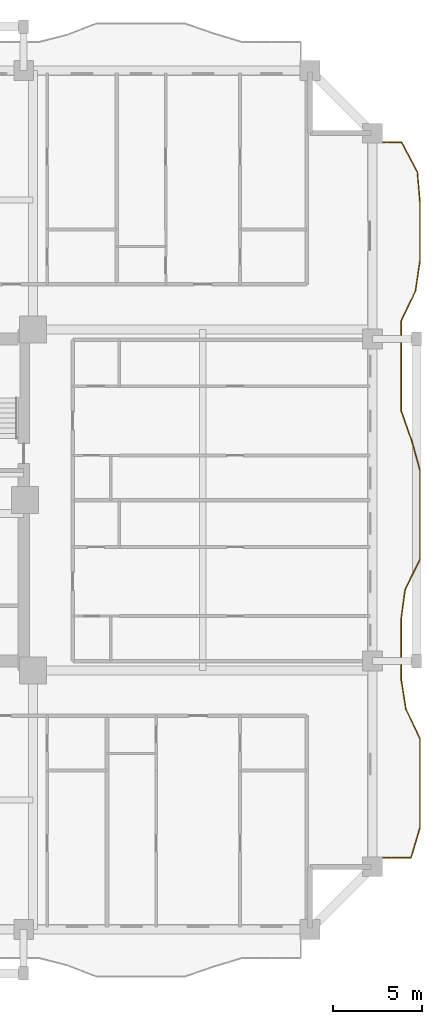
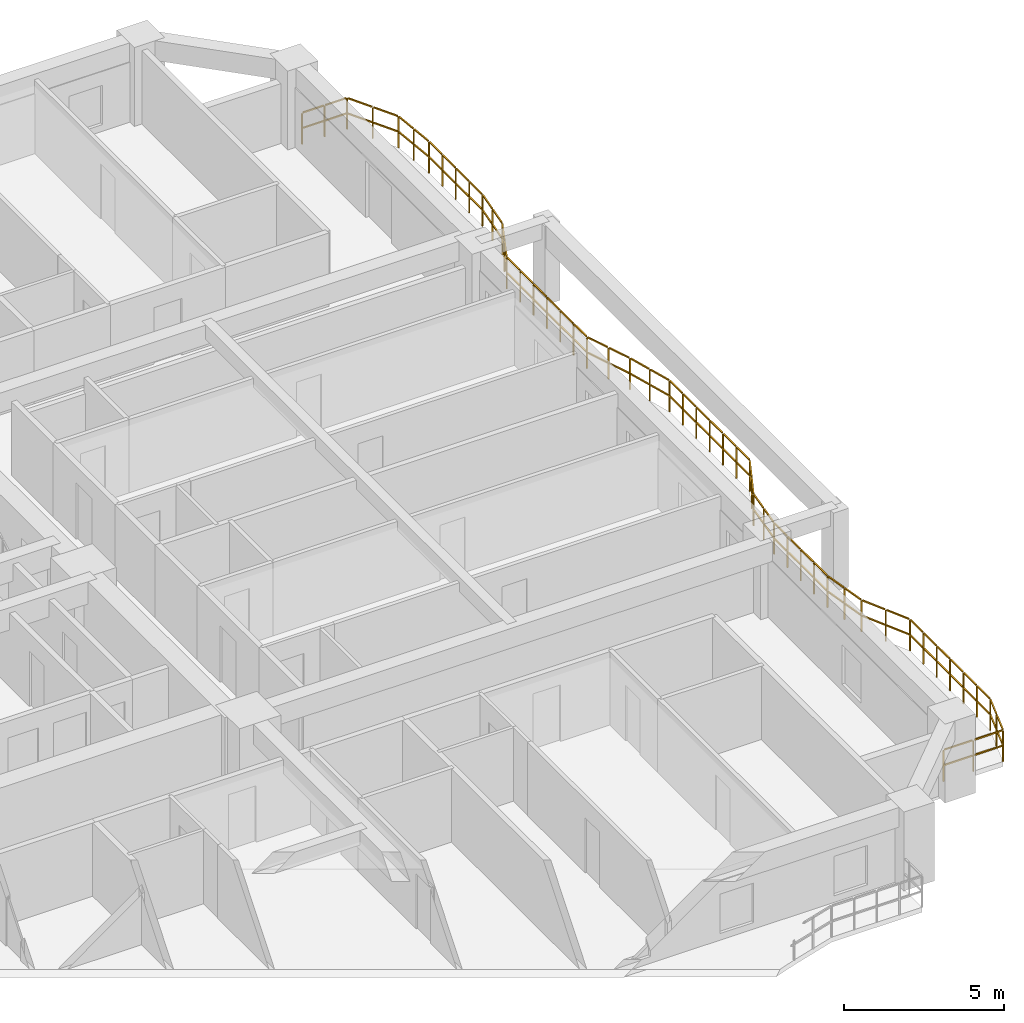
# One storey, part 14 of 16: 1 railing.
"""IFC4 building model written with IfcOpenShell, lengths in metres."""

from ifc_helpers import new_model, si_unit, direction, frame, origin, origin_2d, place, context, subcontext, project, spatial, rectangle, extrude, material, type_object, element, save


model = new_model("IFC4")

# Units and contexts
model_context = context("Model", 3, precision=1e-05, world=origin(), true_north=direction((0.0, 1.0)))
body_context = subcontext(model_context, "Body", "Model", "MODEL_VIEW")
ifc_project = project(units=[si_unit("LENGTHUNIT", "METRE"), si_unit("AREAUNIT", "SQUARE_METRE"), si_unit("VOLUMEUNIT", "CUBIC_METRE"), si_unit("PLANEANGLEUNIT", "RADIAN"), si_unit("MASSUNIT", "GRAM", prefix="KILO")], contexts=[model_context])

# Site, building, storey
site_placement = place(None, origin())
site = spatial("IfcSite", under=ifc_project, at=site_placement, CompositionType="ELEMENT")
building_placement = place(site_placement, origin())
building = spatial("IfcBuilding", under=site, at=building_placement, Name="Saelheon Loggia Tower", CompositionType="ELEMENT")
storey_placement = place(building_placement, frame((0.0, 0.0, 64.39990234375)))
storey = spatial("IfcBuildingStorey", under=building, at=storey_placement, Name="L20", CompositionType="ELEMENT", Elevation=64.39990234375)

# Railing
ifc_material = material(Name="Architectural Precast Concrete and Laminated Glass Guard", Category="concrete")
railing_type = type_object("IfcRailingType", Name="Guard_Loggia_RL_LOG", PredefinedType="BALUSTRADE", material=ifc_material)
railing_placement = place(storey_placement, frame((64.0, 7.0, 0.0)))
element("IfcRailing", 1, at=railing_placement, inside=storey, type_object=railing_type, Name="L20 East Loggia Balustrade", PredefinedType="BALUSTRADE", context=body_context, shape_type="SweptSolid", body=[
    extrude(rectangle(XDim=0.048095703125, YDim=0.048095703125, at=origin_2d()), frame((0.033203125, 0.0, 1.19580078125), z_axis=(1.0, 0.0, 0.0), x_axis=(0.0, 1.0, 0.0)), (0.0, 0.0, 1.0), 1.008544921875),
    extrude(rectangle(XDim=0.048095703125, YDim=0.048095703125, at=origin_2d()), frame((0.033203125, 0.0, 0.60986328125), z_axis=(1.0, 0.0, 0.0), x_axis=(0.0, 1.0, 0.0)), (0.0, 0.0, 1.0), 1.008544921875),
    extrude(rectangle(XDim=0.048095703125, YDim=0.048095703125, at=origin_2d()), frame((1.108154296875, 0.0, 1.19580078125), z_axis=(1.0, 0.0, 0.0), x_axis=(0.0, 1.0, 0.0)), (0.0, 0.0, 1.0), 1.008544921875),
    extrude(rectangle(XDim=0.048095703125, YDim=0.048095703125, at=origin_2d()), frame((1.108154296875, 0.0, 0.60986328125), z_axis=(1.0, 0.0, 0.0), x_axis=(0.0, 1.0, 0.0)), (0.0, 0.0, 1.0), 1.008544921875),
    extrude(rectangle(XDim=0.048095703125, YDim=0.048095703125, at=origin_2d()), frame((2.159423828125, 0.03173828125, 1.19580078125), z_axis=(0.287335013953, 0.957830146611, 0.0), x_axis=(-0.957830146611, 0.287335013953, 0.0)), (0.0, 0.0, 1.0), 0.8037109375),
    extrude(rectangle(XDim=0.048095703125, YDim=0.048095703125, at=origin_2d()), frame((2.159423828125, 0.03173828125, 0.60986328125), z_axis=(0.287335013953, 0.957830146611, 0.0), x_axis=(-0.957830146611, 0.287335013953, 0.0)), (0.0, 0.0, 1.0), 0.8037109375),
    extrude(rectangle(XDim=0.048095703125, YDim=0.048095703125, at=origin_2d()), frame((2.409423828125, 0.865234375, 1.19580078125), z_axis=(0.287335013953, 0.957830146611, 0.0), x_axis=(-0.957830146611, 0.287335013953, 0.0)), (0.0, 0.0, 1.0), 0.8037109375),
    extrude(rectangle(XDim=0.048095703125, YDim=0.048095703125, at=origin_2d()), frame((2.409423828125, 0.865234375, 0.60986328125), z_axis=(0.287335013953, 0.957830146611, 0.0), x_axis=(-0.957830146611, 0.287335013953, 0.0)), (0.0, 0.0, 1.0), 0.8037109375),
    extrude(rectangle(XDim=0.048095703125, YDim=0.048095703125, at=origin_2d()), frame((2.64990234375, 1.699951171875, 1.19580078125), z_axis=(0.0, 1.0, 0.0), x_axis=(-1.0, 0.0, 0.0)), (0.0, 0.0, 1.0), 0.766845703125),
    extrude(rectangle(XDim=0.048095703125, YDim=0.048095703125, at=origin_2d()), frame((2.64990234375, 1.699951171875, 0.60986328125), z_axis=(0.0, 1.0, 0.0), x_axis=(-1.0, 0.0, 0.0)), (0.0, 0.0, 1.0), 0.766845703125),
    extrude(rectangle(XDim=0.048095703125, YDim=0.048095703125, at=origin_2d()), frame((2.64990234375, 2.533203125, 1.19580078125), z_axis=(0.0, 1.0, 0.0), x_axis=(-1.0, 0.0, 0.0)), (0.0, 0.0, 1.0), 0.766845703125),
    extrude(rectangle(XDim=0.048095703125, YDim=0.048095703125, at=origin_2d()), frame((2.64990234375, 2.533203125, 0.60986328125), z_axis=(0.0, 1.0, 0.0), x_axis=(-1.0, 0.0, 0.0)), (0.0, 0.0, 1.0), 0.766845703125),
    extrude(rectangle(XDim=0.048095703125, YDim=0.048095703125, at=origin_2d()), frame((2.64990234375, 3.366455078125, 1.19580078125), z_axis=(0.0, 1.0, 0.0), x_axis=(-1.0, 0.0, 0.0)), (0.0, 0.0, 1.0), 0.766845703125),
    extrude(rectangle(XDim=0.048095703125, YDim=0.048095703125, at=origin_2d()), frame((2.64990234375, 3.366455078125, 0.60986328125), z_axis=(0.0, 1.0, 0.0), x_axis=(-1.0, 0.0, 0.0)), (0.0, 0.0, 1.0), 0.766845703125),
    extrude(rectangle(XDim=0.048095703125, YDim=0.048095703125, at=origin_2d()), frame((2.64990234375, 4.199951171875, 1.19580078125), z_axis=(0.0, 1.0, 0.0), x_axis=(-1.0, 0.0, 0.0)), (0.0, 0.0, 1.0), 0.766845703125),
    extrude(rectangle(XDim=0.048095703125, YDim=0.048095703125, at=origin_2d()), frame((2.64990234375, 4.199951171875, 0.60986328125), z_axis=(0.0, 1.0, 0.0), x_axis=(-1.0, 0.0, 0.0)), (0.0, 0.0, 1.0), 0.766845703125),
    extrude(rectangle(XDim=0.048095703125, YDim=0.048095703125, at=origin_2d()), frame((2.64990234375, 5.033203125, 1.19580078125), z_axis=(0.0, 1.0, 0.0), x_axis=(-1.0, 0.0, 0.0)), (0.0, 0.0, 1.0), 0.766845703125),
    extrude(rectangle(XDim=0.048095703125, YDim=0.048095703125, at=origin_2d()), frame((2.64990234375, 5.033203125, 0.60986328125), z_axis=(0.0, 1.0, 0.0), x_axis=(-1.0, 0.0, 0.0)), (0.0, 0.0, 1.0), 0.766845703125),
    extrude(rectangle(XDim=0.048095703125, YDim=0.048095703125, at=origin_2d()), frame((2.64990234375, 5.86669921875, 1.19580078125), z_axis=(0.0, 1.0, 0.0), x_axis=(-1.0, 0.0, 0.0)), (0.0, 0.0, 1.0), 0.766845703125),
    extrude(rectangle(XDim=0.048095703125, YDim=0.048095703125, at=origin_2d()), frame((2.64990234375, 5.86669921875, 0.60986328125), z_axis=(0.0, 1.0, 0.0), x_axis=(-1.0, 0.0, 0.0)), (0.0, 0.0, 1.0), 0.766845703125),
    extrude(rectangle(XDim=0.048095703125, YDim=0.048095703125, at=origin_2d()), frame((2.6357421875, 6.69677734375, 1.19580078125), z_axis=(-0.427289070921, 0.904115064509, 0.0), x_axis=(-0.904115064509, -0.427289070921, 0.0)), (0.0, 0.0, 1.0), 0.855224609375),
    extrude(rectangle(XDim=0.048095703125, YDim=0.048095703125, at=origin_2d()), frame((2.6357421875, 6.69677734375, 0.60986328125), z_axis=(-0.427289070921, 0.904115064509, 0.0), x_axis=(-0.904115064509, -0.427289070921, 0.0)), (0.0, 0.0, 1.0), 0.855224609375),
    extrude(rectangle(XDim=0.048095703125, YDim=0.048095703125, at=origin_2d()), frame((2.241943359375, 7.530029296875, 1.19580078125), z_axis=(-0.427289070921, 0.904115064509, 0.0), x_axis=(-0.904115064509, -0.427289070921, 0.0)), (0.0, 0.0, 1.0), 0.855224609375),
    extrude(rectangle(XDim=0.048095703125, YDim=0.048095703125, at=origin_2d()), frame((2.241943359375, 7.530029296875, 0.60986328125), z_axis=(-0.427289070921, 0.904115064509, 0.0), x_axis=(-0.904115064509, -0.427289070921, 0.0)), (0.0, 0.0, 1.0), 0.855224609375),
    extrude(rectangle(XDim=0.048095703125, YDim=0.048095703125, at=origin_2d()), frame((1.857177734375, 8.365966796875, 1.19580078125), z_axis=(-0.155405267193, 0.987850799933, 0.0), x_axis=(-0.987850799933, -0.155405267193, 0.0)), (0.0, 0.0, 1.0), 0.777099609375),
    extrude(rectangle(XDim=0.048095703125, YDim=0.048095703125, at=origin_2d()), frame((1.857177734375, 8.365966796875, 0.60986328125), z_axis=(-0.155405267193, 0.987850799933, 0.0), x_axis=(-0.987850799933, -0.155405267193, 0.0)), (0.0, 0.0, 1.0), 0.777099609375),
    extrude(rectangle(XDim=0.048095703125, YDim=0.048095703125, at=origin_2d()), frame((1.72607421875, 9.199462890625, 1.19580078125), z_axis=(-0.155405267193, 0.987850799933, 0.0), x_axis=(-0.987850799933, -0.155405267193, 0.0)), (0.0, 0.0, 1.0), 0.777099609375),
    extrude(rectangle(XDim=0.048095703125, YDim=0.048095703125, at=origin_2d()), frame((1.72607421875, 9.199462890625, 0.60986328125), z_axis=(-0.155405267193, 0.987850799933, 0.0), x_axis=(-0.987850799933, -0.155405267193, 0.0)), (0.0, 0.0, 1.0), 0.777099609375),
    extrude(rectangle(XDim=0.048095703125, YDim=0.048095703125, at=origin_2d()), frame((1.60009765625, 10.033203125, 1.19580078125), z_axis=(0.0, 1.0, 0.0), x_axis=(-1.0, 0.0, 0.0)), (0.0, 0.0, 1.0), 0.766845703125),
    extrude(rectangle(XDim=0.048095703125, YDim=0.048095703125, at=origin_2d()), frame((1.60009765625, 10.033203125, 0.60986328125), z_axis=(0.0, 1.0, 0.0), x_axis=(-1.0, 0.0, 0.0)), (0.0, 0.0, 1.0), 0.766845703125),
    extrude(rectangle(XDim=0.048095703125, YDim=0.048095703125, at=origin_2d()), frame((1.60009765625, 10.86669921875, 1.19580078125), z_axis=(0.0, 1.0, 0.0), x_axis=(-1.0, 0.0, 0.0)), (0.0, 0.0, 1.0), 0.766845703125),
    extrude(rectangle(XDim=0.048095703125, YDim=0.048095703125, at=origin_2d()), frame((1.60009765625, 10.86669921875, 0.60986328125), z_axis=(0.0, 1.0, 0.0), x_axis=(-1.0, 0.0, 0.0)), (0.0, 0.0, 1.0), 0.766845703125),
    extrude(rectangle(XDim=0.048095703125, YDim=0.048095703125, at=origin_2d()), frame((1.60009765625, 11.699951171875, 1.19580078125), z_axis=(0.0, 1.0, 0.0), x_axis=(-1.0, 0.0, 0.0)), (0.0, 0.0, 1.0), 0.766845703125),
    extrude(rectangle(XDim=0.048095703125, YDim=0.048095703125, at=origin_2d()), frame((1.60009765625, 11.699951171875, 0.60986328125), z_axis=(0.0, 1.0, 0.0), x_axis=(-1.0, 0.0, 0.0)), (0.0, 0.0, 1.0), 0.766845703125),
    extrude(rectangle(XDim=0.048095703125, YDim=0.048095703125, at=origin_2d()), frame((1.60009765625, 12.533203125, 1.19580078125), z_axis=(0.0, 1.0, 0.0), x_axis=(-1.0, 0.0, 0.0)), (0.0, 0.0, 1.0), 0.766845703125),
    extrude(rectangle(XDim=0.048095703125, YDim=0.048095703125, at=origin_2d()), frame((1.60009765625, 12.533203125, 0.60986328125), z_axis=(0.0, 1.0, 0.0), x_axis=(-1.0, 0.0, 0.0)), (0.0, 0.0, 1.0), 0.766845703125),
    extrude(rectangle(XDim=0.048095703125, YDim=0.048095703125, at=origin_2d()), frame((1.6044921875, 13.3662109375, 1.19580078125), z_axis=(0.134834696212, 0.99086810661, 0.0), x_axis=(-0.99086810661, 0.134834696212, 0.0)), (0.0, 0.0, 1.0), 0.774658203125),
    extrude(rectangle(XDim=0.048095703125, YDim=0.048095703125, at=origin_2d()), frame((1.6044921875, 13.3662109375, 0.60986328125), z_axis=(0.134834696212, 0.99086810661, 0.0), x_axis=(-0.99086810661, 0.134834696212, 0.0)), (0.0, 0.0, 1.0), 0.774658203125),
    extrude(rectangle(XDim=0.048095703125, YDim=0.048095703125, at=origin_2d()), frame((1.718017578125, 14.199462890625, 1.19580078125), z_axis=(0.134834696212, 0.99086810661, 0.0), x_axis=(-0.99086810661, 0.134834696212, 0.0)), (0.0, 0.0, 1.0), 0.774658203125),
    extrude(rectangle(XDim=0.048095703125, YDim=0.048095703125, at=origin_2d()), frame((1.718017578125, 14.199462890625, 0.60986328125), z_axis=(0.134834696212, 0.99086810661, 0.0), x_axis=(-0.99086810661, 0.134834696212, 0.0)), (0.0, 0.0, 1.0), 0.774658203125),
    extrude(rectangle(XDim=0.048095703125, YDim=0.048095703125, at=origin_2d()), frame((1.841552734375, 15.02978515625, 1.19580078125), z_axis=(0.442742508553, 0.896648800323, 0.0), x_axis=(-0.896648800323, 0.442742508553, 0.0)), (0.0, 0.0, 1.0), 0.863037109375),
    extrude(rectangle(XDim=0.048095703125, YDim=0.048095703125, at=origin_2d()), frame((1.841552734375, 15.02978515625, 0.60986328125), z_axis=(0.442742508553, 0.896648800323, 0.0), x_axis=(-0.896648800323, 0.442742508553, 0.0)), (0.0, 0.0, 1.0), 0.863037109375),
    extrude(rectangle(XDim=0.048095703125, YDim=0.048095703125, at=origin_2d()), frame((2.253173828125, 15.86328125, 1.19580078125), z_axis=(0.442742508553, 0.896648800323, 0.0), x_axis=(-0.896648800323, 0.442742508553, 0.0)), (0.0, 0.0, 1.0), 0.863037109375),
    extrude(rectangle(XDim=0.048095703125, YDim=0.048095703125, at=origin_2d()), frame((2.253173828125, 15.86328125, 0.60986328125), z_axis=(0.442742508553, 0.896648800323, 0.0), x_axis=(-0.896648800323, 0.442742508553, 0.0)), (0.0, 0.0, 1.0), 0.863037109375),
    extrude(rectangle(XDim=0.048095703125, YDim=0.048095703125, at=origin_2d()), frame((2.64990234375, 16.699951171875, 1.19580078125), z_axis=(0.0, 1.0, 0.0), x_axis=(-1.0, 0.0, 0.0)), (0.0, 0.0, 1.0), 0.766845703125),
    extrude(rectangle(XDim=0.048095703125, YDim=0.048095703125, at=origin_2d()), frame((2.64990234375, 16.699951171875, 0.60986328125), z_axis=(0.0, 1.0, 0.0), x_axis=(-1.0, 0.0, 0.0)), (0.0, 0.0, 1.0), 0.766845703125),
    extrude(rectangle(XDim=0.048095703125, YDim=0.048095703125, at=origin_2d()), frame((2.64990234375, 17.533203125, 1.19580078125), z_axis=(0.0, 1.0, 0.0), x_axis=(-1.0, 0.0, 0.0)), (0.0, 0.0, 1.0), 0.766845703125),
    extrude(rectangle(XDim=0.048095703125, YDim=0.048095703125, at=origin_2d()), frame((2.64990234375, 17.533203125, 0.60986328125), z_axis=(0.0, 1.0, 0.0), x_axis=(-1.0, 0.0, 0.0)), (0.0, 0.0, 1.0), 0.766845703125),
    extrude(rectangle(XDim=0.048095703125, YDim=0.048095703125, at=origin_2d()), frame((2.64990234375, 18.366455078125, 1.19580078125), z_axis=(0.0, 1.0, 0.0), x_axis=(-1.0, 0.0, 0.0)), (0.0, 0.0, 1.0), 0.766845703125),
    extrude(rectangle(XDim=0.048095703125, YDim=0.048095703125, at=origin_2d()), frame((2.64990234375, 18.366455078125, 0.60986328125), z_axis=(0.0, 1.0, 0.0), x_axis=(-1.0, 0.0, 0.0)), (0.0, 0.0, 1.0), 0.766845703125),
    extrude(rectangle(XDim=0.048095703125, YDim=0.048095703125, at=origin_2d()), frame((2.64990234375, 19.199951171875, 1.19580078125), z_axis=(0.0, 1.0, 0.0), x_axis=(-1.0, 0.0, 0.0)), (0.0, 0.0, 1.0), 0.766845703125),
    extrude(rectangle(XDim=0.048095703125, YDim=0.048095703125, at=origin_2d()), frame((2.64990234375, 19.199951171875, 0.60986328125), z_axis=(0.0, 1.0, 0.0), x_axis=(-1.0, 0.0, 0.0)), (0.0, 0.0, 1.0), 0.766845703125),
    extrude(rectangle(XDim=0.048095703125, YDim=0.048095703125, at=origin_2d()), frame((2.64990234375, 20.033203125, 1.19580078125), z_axis=(0.0, 1.0, 0.0), x_axis=(-1.0, 0.0, 0.0)), (0.0, 0.0, 1.0), 0.766845703125),
    extrude(rectangle(XDim=0.048095703125, YDim=0.048095703125, at=origin_2d()), frame((2.64990234375, 20.033203125, 0.60986328125), z_axis=(0.0, 1.0, 0.0), x_axis=(-1.0, 0.0, 0.0)), (0.0, 0.0, 1.0), 0.766845703125),
    extrude(rectangle(XDim=0.048095703125, YDim=0.048095703125, at=origin_2d()), frame((2.64990234375, 20.86669921875, 1.19580078125), z_axis=(0.0, 1.0, 0.0), x_axis=(-1.0, 0.0, 0.0)), (0.0, 0.0, 1.0), 0.766845703125),
    extrude(rectangle(XDim=0.048095703125, YDim=0.048095703125, at=origin_2d()), frame((2.64990234375, 20.86669921875, 0.60986328125), z_axis=(0.0, 1.0, 0.0), x_axis=(-1.0, 0.0, 0.0)), (0.0, 0.0, 1.0), 0.766845703125),
    extrude(rectangle(XDim=0.048095703125, YDim=0.048095703125, at=origin_2d()), frame((2.64111328125, 21.69873046875, 1.19580078125), z_axis=(-0.268022369816, 0.963412688975, 0.0), x_axis=(-0.963412688975, -0.268022369816, 0.0)), (0.0, 0.0, 1.0), 0.79833984375),
    extrude(rectangle(XDim=0.048095703125, YDim=0.048095703125, at=origin_2d()), frame((2.64111328125, 21.69873046875, 0.60986328125), z_axis=(-0.268022369816, 0.963412688975, 0.0), x_axis=(-0.963412688975, -0.268022369816, 0.0)), (0.0, 0.0, 1.0), 0.79833984375),
    extrude(rectangle(XDim=0.048095703125, YDim=0.048095703125, at=origin_2d()), frame((2.4091796875, 22.531982421875, 1.19580078125), z_axis=(-0.268022369816, 0.963412688975, 0.0), x_axis=(-0.963412688975, -0.268022369816, 0.0)), (0.0, 0.0, 1.0), 0.79833984375),
    extrude(rectangle(XDim=0.048095703125, YDim=0.048095703125, at=origin_2d()), frame((2.4091796875, 22.531982421875, 0.60986328125), z_axis=(-0.268022369816, 0.963412688975, 0.0), x_axis=(-0.963412688975, -0.268022369816, 0.0)), (0.0, 0.0, 1.0), 0.79833984375),
    extrude(rectangle(XDim=0.048095703125, YDim=0.048095703125, at=origin_2d()), frame((2.17529296875, 23.364501953125, 1.19580078125), z_axis=(-0.331771864705, 0.943359650287, 0.0), x_axis=(-0.943359650287, -0.331771864705, 0.0)), (0.0, 0.0, 1.0), 0.81689453125),
    extrude(rectangle(XDim=0.048095703125, YDim=0.048095703125, at=origin_2d()), frame((2.17529296875, 23.364501953125, 0.60986328125), z_axis=(-0.331771864705, 0.943359650287, 0.0), x_axis=(-0.943359650287, -0.331771864705, 0.0)), (0.0, 0.0, 1.0), 0.81689453125),
    extrude(rectangle(XDim=0.048095703125, YDim=0.048095703125, at=origin_2d()), frame((1.882080078125, 24.197998046875, 1.19580078125), z_axis=(-0.331771864705, 0.943359650287, 0.0), x_axis=(-0.943359650287, -0.331771864705, 0.0)), (0.0, 0.0, 1.0), 0.81689453125),
    extrude(rectangle(XDim=0.048095703125, YDim=0.048095703125, at=origin_2d()), frame((1.882080078125, 24.197998046875, 0.60986328125), z_axis=(-0.331771864705, 0.943359650287, 0.0), x_axis=(-0.943359650287, -0.331771864705, 0.0)), (0.0, 0.0, 1.0), 0.81689453125),
    extrude(rectangle(XDim=0.048095703125, YDim=0.048095703125, at=origin_2d()), frame((1.60009765625, 25.033203125, 1.19580078125), z_axis=(0.0, 1.0, 0.0), x_axis=(-1.0, 0.0, 0.0)), (0.0, 0.0, 1.0), 0.766845703125),
    extrude(rectangle(XDim=0.048095703125, YDim=0.048095703125, at=origin_2d()), frame((1.60009765625, 25.033203125, 0.60986328125), z_axis=(0.0, 1.0, 0.0), x_axis=(-1.0, 0.0, 0.0)), (0.0, 0.0, 1.0), 0.766845703125),
    extrude(rectangle(XDim=0.048095703125, YDim=0.048095703125, at=origin_2d()), frame((1.60009765625, 25.86669921875, 1.19580078125), z_axis=(0.0, 1.0, 0.0), x_axis=(-1.0, 0.0, 0.0)), (0.0, 0.0, 1.0), 0.766845703125),
    extrude(rectangle(XDim=0.048095703125, YDim=0.048095703125, at=origin_2d()), frame((1.60009765625, 25.86669921875, 0.60986328125), z_axis=(0.0, 1.0, 0.0), x_axis=(-1.0, 0.0, 0.0)), (0.0, 0.0, 1.0), 0.766845703125),
    extrude(rectangle(XDim=0.048095703125, YDim=0.048095703125, at=origin_2d()), frame((1.60009765625, 26.699951171875, 1.19580078125), z_axis=(0.0, 1.0, 0.0), x_axis=(-1.0, 0.0, 0.0)), (0.0, 0.0, 1.0), 0.766845703125),
    extrude(rectangle(XDim=0.048095703125, YDim=0.048095703125, at=origin_2d()), frame((1.60009765625, 26.699951171875, 0.60986328125), z_axis=(0.0, 1.0, 0.0), x_axis=(-1.0, 0.0, 0.0)), (0.0, 0.0, 1.0), 0.766845703125),
    extrude(rectangle(XDim=0.048095703125, YDim=0.048095703125, at=origin_2d()), frame((1.60009765625, 27.533203125, 1.19580078125), z_axis=(0.0, 1.0, 0.0), x_axis=(-1.0, 0.0, 0.0)), (0.0, 0.0, 1.0), 0.766845703125),
    extrude(rectangle(XDim=0.048095703125, YDim=0.048095703125, at=origin_2d()), frame((1.60009765625, 27.533203125, 0.60986328125), z_axis=(0.0, 1.0, 0.0), x_axis=(-1.0, 0.0, 0.0)), (0.0, 0.0, 1.0), 0.766845703125),
    extrude(rectangle(XDim=0.048095703125, YDim=0.048095703125, at=origin_2d()), frame((1.60009765625, 28.366455078125, 1.19580078125), z_axis=(0.0, 1.0, 0.0), x_axis=(-1.0, 0.0, 0.0)), (0.0, 0.0, 1.0), 0.766845703125),
    extrude(rectangle(XDim=0.048095703125, YDim=0.048095703125, at=origin_2d()), frame((1.60009765625, 28.366455078125, 0.60986328125), z_axis=(0.0, 1.0, 0.0), x_axis=(-1.0, 0.0, 0.0)), (0.0, 0.0, 1.0), 0.766845703125),
    extrude(rectangle(XDim=0.048095703125, YDim=0.048095703125, at=origin_2d()), frame((1.60009765625, 29.199951171875, 1.19580078125), z_axis=(0.0, 1.0, 0.0), x_axis=(-1.0, 0.0, 0.0)), (0.0, 0.0, 1.0), 0.766845703125),
    extrude(rectangle(XDim=0.048095703125, YDim=0.048095703125, at=origin_2d()), frame((1.60009765625, 29.199951171875, 0.60986328125), z_axis=(0.0, 1.0, 0.0), x_axis=(-1.0, 0.0, 0.0)), (0.0, 0.0, 1.0), 0.766845703125),
    extrude(rectangle(XDim=0.048095703125, YDim=0.048095703125, at=origin_2d()), frame((1.614501953125, 30.030029296875, 1.19580078125), z_axis=(0.433700533123, 0.901057072315, 0.0), x_axis=(-0.901057072315, 0.433700533123, 0.0)), (0.0, 0.0, 1.0), 0.8583984375),
    extrude(rectangle(XDim=0.048095703125, YDim=0.048095703125, at=origin_2d()), frame((1.614501953125, 30.030029296875, 0.60986328125), z_axis=(0.433700533123, 0.901057072315, 0.0), x_axis=(-0.901057072315, 0.433700533123, 0.0)), (0.0, 0.0, 1.0), 0.8583984375),
    extrude(rectangle(XDim=0.048095703125, YDim=0.048095703125, at=origin_2d()), frame((2.015625, 30.86328125, 1.19580078125), z_axis=(0.433700533123, 0.901057072315, 0.0), x_axis=(-0.901057072315, 0.433700533123, 0.0)), (0.0, 0.0, 1.0), 0.8583984375),
    extrude(rectangle(XDim=0.048095703125, YDim=0.048095703125, at=origin_2d()), frame((2.015625, 30.86328125, 0.60986328125), z_axis=(0.433700533123, 0.901057072315, 0.0), x_axis=(-0.901057072315, 0.433700533123, 0.0)), (0.0, 0.0, 1.0), 0.8583984375),
    extrude(rectangle(XDim=0.048095703125, YDim=0.048095703125, at=origin_2d()), frame((2.4072265625, 31.69970703125, 1.19580078125), z_axis=(0.146937277025, 0.989145811607, 0.0), x_axis=(-0.989145811607, 0.146937277025, 0.0)), (0.0, 0.0, 1.0), 0.77587890625),
    extrude(rectangle(XDim=0.048095703125, YDim=0.048095703125, at=origin_2d()), frame((2.4072265625, 31.69970703125, 0.60986328125), z_axis=(0.146937277025, 0.989145811607, 0.0), x_axis=(-0.989145811607, 0.146937277025, 0.0)), (0.0, 0.0, 1.0), 0.77587890625),
    extrude(rectangle(XDim=0.048095703125, YDim=0.048095703125, at=origin_2d()), frame((2.531005859375, 32.532958984375, 1.19580078125), z_axis=(0.146937277025, 0.989145811607, 0.0), x_axis=(-0.989145811607, 0.146937277025, 0.0)), (0.0, 0.0, 1.0), 0.77587890625),
    extrude(rectangle(XDim=0.048095703125, YDim=0.048095703125, at=origin_2d()), frame((2.531005859375, 32.532958984375, 0.60986328125), z_axis=(0.146937277025, 0.989145811607, 0.0), x_axis=(-0.989145811607, 0.146937277025, 0.0)), (0.0, 0.0, 1.0), 0.77587890625),
    extrude(rectangle(XDim=0.048095703125, YDim=0.048095703125, at=origin_2d()), frame((2.64990234375, 33.366455078125, 1.19580078125), z_axis=(0.0, 1.0, 0.0), x_axis=(-1.0, 0.0, 0.0)), (0.0, 0.0, 1.0), 0.766845703125),
    extrude(rectangle(XDim=0.048095703125, YDim=0.048095703125, at=origin_2d()), frame((2.64990234375, 33.366455078125, 0.60986328125), z_axis=(0.0, 1.0, 0.0), x_axis=(-1.0, 0.0, 0.0)), (0.0, 0.0, 1.0), 0.766845703125),
    extrude(rectangle(XDim=0.048095703125, YDim=0.048095703125, at=origin_2d()), frame((2.64990234375, 34.199951171875, 1.19580078125), z_axis=(0.0, 1.0, 0.0), x_axis=(-1.0, 0.0, 0.0)), (0.0, 0.0, 1.0), 0.766845703125),
    extrude(rectangle(XDim=0.048095703125, YDim=0.048095703125, at=origin_2d()), frame((2.64990234375, 34.199951171875, 0.60986328125), z_axis=(0.0, 1.0, 0.0), x_axis=(-1.0, 0.0, 0.0)), (0.0, 0.0, 1.0), 0.766845703125),
    extrude(rectangle(XDim=0.048095703125, YDim=0.048095703125, at=origin_2d()), frame((2.64990234375, 35.033203125, 1.19580078125), z_axis=(0.0, 1.0, 0.0), x_axis=(-1.0, 0.0, 0.0)), (0.0, 0.0, 1.0), 0.766845703125),
    extrude(rectangle(XDim=0.048095703125, YDim=0.048095703125, at=origin_2d()), frame((2.64990234375, 35.033203125, 0.60986328125), z_axis=(0.0, 1.0, 0.0), x_axis=(-1.0, 0.0, 0.0)), (0.0, 0.0, 1.0), 0.766845703125),
    extrude(rectangle(XDim=0.048095703125, YDim=0.048095703125, at=origin_2d()), frame((2.64990234375, 35.86669921875, 1.19580078125), z_axis=(0.0, 1.0, 0.0), x_axis=(-1.0, 0.0, 0.0)), (0.0, 0.0, 1.0), 0.766845703125),
    extrude(rectangle(XDim=0.048095703125, YDim=0.048095703125, at=origin_2d()), frame((2.64990234375, 35.86669921875, 0.60986328125), z_axis=(0.0, 1.0, 0.0), x_axis=(-1.0, 0.0, 0.0)), (0.0, 0.0, 1.0), 0.766845703125),
    extrude(rectangle(XDim=0.048095703125, YDim=0.048095703125, at=origin_2d()), frame((2.64697265625, 36.699951171875, 1.19580078125), z_axis=(-0.084664157025, 0.996409544573, 0.0), x_axis=(-0.996409544573, -0.084664157025, 0.0)), (0.0, 0.0, 1.0), 0.769775390625),
    extrude(rectangle(XDim=0.048095703125, YDim=0.048095703125, at=origin_2d()), frame((2.64697265625, 36.699951171875, 0.60986328125), z_axis=(-0.084664157025, 0.996409544573, 0.0), x_axis=(-0.996409544573, -0.084664157025, 0.0)), (0.0, 0.0, 1.0), 0.769775390625),
    extrude(rectangle(XDim=0.048095703125, YDim=0.048095703125, at=origin_2d()), frame((2.576171875, 37.533203125, 1.19580078125), z_axis=(-0.084664157025, 0.996409544573, 0.0), x_axis=(-0.996409544573, -0.084664157025, 0.0)), (0.0, 0.0, 1.0), 0.769775390625),
    extrude(rectangle(XDim=0.048095703125, YDim=0.048095703125, at=origin_2d()), frame((2.576171875, 37.533203125, 0.60986328125), z_axis=(-0.084664157025, 0.996409544573, 0.0), x_axis=(-0.996409544573, -0.084664157025, 0.0)), (0.0, 0.0, 1.0), 0.769775390625),
    extrude(rectangle(XDim=0.048095703125, YDim=0.048095703125, at=origin_2d()), frame((2.49267578125, 38.362548828125, 1.19580078125), z_axis=(-0.469977451422, 0.882678421145, 0.0), x_axis=(-0.882678421145, -0.469977451422, 0.0)), (0.0, 0.0, 1.0), 0.877685546875),
    extrude(rectangle(XDim=0.048095703125, YDim=0.048095703125, at=origin_2d()), frame((2.49267578125, 38.362548828125, 0.60986328125), z_axis=(-0.469977451422, 0.882678421145, 0.0), x_axis=(-0.882678421145, -0.469977451422, 0.0)), (0.0, 0.0, 1.0), 0.877685546875),
    extrude(rectangle(XDim=0.048095703125, YDim=0.048095703125, at=origin_2d()), frame((2.049072265625, 39.196044921875, 1.19580078125), z_axis=(-0.469977451422, 0.882678421145, 0.0), x_axis=(-0.882678421145, -0.469977451422, 0.0)), (0.0, 0.0, 1.0), 0.877685546875),
    extrude(rectangle(XDim=0.048095703125, YDim=0.048095703125, at=origin_2d()), frame((2.049072265625, 39.196044921875, 0.60986328125), z_axis=(-0.469977451422, 0.882678421145, 0.0), x_axis=(-0.882678421145, -0.469977451422, 0.0)), (0.0, 0.0, 1.0), 0.877685546875),
    extrude(rectangle(XDim=0.048095703125, YDim=0.048095703125, at=origin_2d()), frame((1.587646484375, 40.0, 1.19580078125), z_axis=(-1.0, 0.0, 0.0), x_axis=(0.0, -1.0, 0.0)), (0.0, 0.0, 1.0), 0.743896484375),
    extrude(rectangle(XDim=0.048095703125, YDim=0.048095703125, at=origin_2d()), frame((1.587646484375, 40.0, 0.60986328125), z_axis=(-1.0, 0.0, 0.0), x_axis=(0.0, -1.0, 0.0)), (0.0, 0.0, 1.0), 0.743896484375),
    extrude(rectangle(XDim=0.048095703125, YDim=0.048095703125, at=origin_2d()), frame((0.777099609375, 40.0, 1.19580078125), z_axis=(-1.0, 0.0, 0.0), x_axis=(0.0, -1.0, 0.0)), (0.0, 0.0, 1.0), 0.743896484375),
    extrude(rectangle(XDim=0.048095703125, YDim=0.048095703125, at=origin_2d()), frame((0.777099609375, 40.0, 0.60986328125), z_axis=(-1.0, 0.0, 0.0), x_axis=(0.0, -1.0, 0.0)), (0.0, 0.0, 1.0), 0.743896484375),
    extrude(rectangle(XDim=0.0419921875, YDim=0.0419921875, at=origin_2d()), origin(), (0.0, 0.0, 1.0), 1.16796875),
    extrude(rectangle(XDim=0.0419921875, YDim=0.0419921875, at=origin_2d()), frame((1.074951171875, 0.0, 0.0)), (0.0, 0.0, 1.0), 1.16796875),
    extrude(rectangle(XDim=0.0419921875, YDim=0.0419921875, at=origin_2d()), frame((2.14990234375, 0.0, 0.0)), (0.0, 0.0, 1.0), 1.16796875),
    extrude(rectangle(XDim=0.0419921875, YDim=0.0419921875, at=origin_2d()), frame((2.39990234375, 0.83349609375, 0.0)), (0.0, 0.0, 1.0), 1.16796875),
    extrude(rectangle(XDim=0.0419921875, YDim=0.0419921875, at=origin_2d()), frame((2.64990234375, 1.666748046875, 0.0)), (0.0, 0.0, 1.0), 1.16796875),
    extrude(rectangle(XDim=0.0419921875, YDim=0.0419921875, at=origin_2d()), frame((2.64990234375, 2.5, 0.0)), (0.0, 0.0, 1.0), 1.16796875),
    extrude(rectangle(XDim=0.0419921875, YDim=0.0419921875, at=origin_2d()), frame((2.64990234375, 3.333251953125, 0.0)), (0.0, 0.0, 1.0), 1.16796875),
    extrude(rectangle(XDim=0.0419921875, YDim=0.0419921875, at=origin_2d()), frame((2.64990234375, 4.16650390625, 0.0)), (0.0, 0.0, 1.0), 1.16796875),
    extrude(rectangle(XDim=0.0419921875, YDim=0.0419921875, at=origin_2d()), frame((2.64990234375, 5.0, 0.0)), (0.0, 0.0, 1.0), 1.16796875),
    extrude(rectangle(XDim=0.0419921875, YDim=0.0419921875, at=origin_2d()), frame((2.64990234375, 5.83349609375, 0.0)), (0.0, 0.0, 1.0), 1.16796875),
    extrude(rectangle(XDim=0.0419921875, YDim=0.0419921875, at=origin_2d()), frame((2.64990234375, 6.666748046875, 0.0)), (0.0, 0.0, 1.0), 1.16796875),
    extrude(rectangle(XDim=0.0419921875, YDim=0.0419921875, at=origin_2d()), frame((2.256103515625, 7.5, 0.0)), (0.0, 0.0, 1.0), 1.16796875),
    extrude(rectangle(XDim=0.0419921875, YDim=0.0419921875, at=origin_2d()), frame((1.8623046875, 8.333251953125, 0.0)), (0.0, 0.0, 1.0), 1.16796875),
    extrude(rectangle(XDim=0.0419921875, YDim=0.0419921875, at=origin_2d()), frame((1.731201171875, 9.16650390625, 0.0)), (0.0, 0.0, 1.0), 1.16796875),
    extrude(rectangle(XDim=0.0419921875, YDim=0.0419921875, at=origin_2d()), frame((1.60009765625, 10.0, 0.0)), (0.0, 0.0, 1.0), 1.16796875),
    extrude(rectangle(XDim=0.0419921875, YDim=0.0419921875, at=origin_2d()), frame((1.60009765625, 10.83349609375, 0.0)), (0.0, 0.0, 1.0), 1.16796875),
    extrude(rectangle(XDim=0.0419921875, YDim=0.0419921875, at=origin_2d()), frame((1.60009765625, 11.666748046875, 0.0)), (0.0, 0.0, 1.0), 1.16796875),
    extrude(rectangle(XDim=0.0419921875, YDim=0.0419921875, at=origin_2d()), frame((1.60009765625, 12.5, 0.0)), (0.0, 0.0, 1.0), 1.16796875),
    extrude(rectangle(XDim=0.0419921875, YDim=0.0419921875, at=origin_2d()), frame((1.60009765625, 13.333251953125, 0.0)), (0.0, 0.0, 1.0), 1.16796875),
    extrude(rectangle(XDim=0.0419921875, YDim=0.0419921875, at=origin_2d()), frame((1.71337890625, 14.16650390625, 0.0)), (0.0, 0.0, 1.0), 1.16796875),
    extrude(rectangle(XDim=0.0419921875, YDim=0.0419921875, at=origin_2d()), frame((1.826904296875, 15.0, 0.0)), (0.0, 0.0, 1.0), 1.16796875),
    extrude(rectangle(XDim=0.0419921875, YDim=0.0419921875, at=origin_2d()), frame((2.23828125, 15.83349609375, 0.0)), (0.0, 0.0, 1.0), 1.16796875),
    extrude(rectangle(XDim=0.0419921875, YDim=0.0419921875, at=origin_2d()), frame((2.64990234375, 16.666748046875, 0.0)), (0.0, 0.0, 1.0), 1.16796875),
    extrude(rectangle(XDim=0.0419921875, YDim=0.0419921875, at=origin_2d()), frame((2.64990234375, 17.5, 0.0)), (0.0, 0.0, 1.0), 1.16796875),
    extrude(rectangle(XDim=0.0419921875, YDim=0.0419921875, at=origin_2d()), frame((2.64990234375, 18.333251953125, 0.0)), (0.0, 0.0, 1.0), 1.16796875),
    extrude(rectangle(XDim=0.0419921875, YDim=0.0419921875, at=origin_2d()), frame((2.64990234375, 19.16650390625, 0.0)), (0.0, 0.0, 1.0), 1.16796875),
    extrude(rectangle(XDim=0.0419921875, YDim=0.0419921875, at=origin_2d()), frame((2.64990234375, 20.0, 0.0)), (0.0, 0.0, 1.0), 1.16796875),
    extrude(rectangle(XDim=0.0419921875, YDim=0.0419921875, at=origin_2d()), frame((2.64990234375, 20.83349609375, 0.0)), (0.0, 0.0, 1.0), 1.16796875),
    extrude(rectangle(XDim=0.0419921875, YDim=0.0419921875, at=origin_2d()), frame((2.64990234375, 21.666748046875, 0.0)), (0.0, 0.0, 1.0), 1.16796875),
    extrude(rectangle(XDim=0.0419921875, YDim=0.0419921875, at=origin_2d()), frame((2.41796875, 22.5, 0.0)), (0.0, 0.0, 1.0), 1.16796875),
    extrude(rectangle(XDim=0.0419921875, YDim=0.0419921875, at=origin_2d()), frame((2.186279296875, 23.333251953125, 0.0)), (0.0, 0.0, 1.0), 1.16796875),
    extrude(rectangle(XDim=0.0419921875, YDim=0.0419921875, at=origin_2d()), frame((1.89306640625, 24.16650390625, 0.0)), (0.0, 0.0, 1.0), 1.16796875),
    extrude(rectangle(XDim=0.0419921875, YDim=0.0419921875, at=origin_2d()), frame((1.60009765625, 25.0, 0.0)), (0.0, 0.0, 1.0), 1.16796875),
    extrude(rectangle(XDim=0.0419921875, YDim=0.0419921875, at=origin_2d()), frame((1.60009765625, 25.83349609375, 0.0)), (0.0, 0.0, 1.0), 1.16796875),
    extrude(rectangle(XDim=0.0419921875, YDim=0.0419921875, at=origin_2d()), frame((1.60009765625, 26.666748046875, 0.0)), (0.0, 0.0, 1.0), 1.16796875),
    extrude(rectangle(XDim=0.0419921875, YDim=0.0419921875, at=origin_2d()), frame((1.60009765625, 27.5, 0.0)), (0.0, 0.0, 1.0), 1.16796875),
    extrude(rectangle(XDim=0.0419921875, YDim=0.0419921875, at=origin_2d()), frame((1.60009765625, 28.333251953125, 0.0)), (0.0, 0.0, 1.0), 1.16796875),
    extrude(rectangle(XDim=0.0419921875, YDim=0.0419921875, at=origin_2d()), frame((1.60009765625, 29.16650390625, 0.0)), (0.0, 0.0, 1.0), 1.16796875),
    extrude(rectangle(XDim=0.0419921875, YDim=0.0419921875, at=origin_2d()), frame((1.60009765625, 30.0, 0.0)), (0.0, 0.0, 1.0), 1.16796875),
    extrude(rectangle(XDim=0.0419921875, YDim=0.0419921875, at=origin_2d()), frame((2.001220703125, 30.83349609375, 0.0)), (0.0, 0.0, 1.0), 1.16796875),
    extrude(rectangle(XDim=0.0419921875, YDim=0.0419921875, at=origin_2d()), frame((2.40234375, 31.666748046875, 0.0)), (0.0, 0.0, 1.0), 1.16796875),
    extrude(rectangle(XDim=0.0419921875, YDim=0.0419921875, at=origin_2d()), frame((2.526123046875, 32.5, 0.0)), (0.0, 0.0, 1.0), 1.16796875),
    extrude(rectangle(XDim=0.0419921875, YDim=0.0419921875, at=origin_2d()), frame((2.64990234375, 33.333251953125, 0.0)), (0.0, 0.0, 1.0), 1.16796875),
    extrude(rectangle(XDim=0.0419921875, YDim=0.0419921875, at=origin_2d()), frame((2.64990234375, 34.16650390625, 0.0)), (0.0, 0.0, 1.0), 1.16796875),
    extrude(rectangle(XDim=0.0419921875, YDim=0.0419921875, at=origin_2d()), frame((2.64990234375, 35.0, 0.0)), (0.0, 0.0, 1.0), 1.16796875),
    extrude(rectangle(XDim=0.0419921875, YDim=0.0419921875, at=origin_2d()), frame((2.64990234375, 35.83349609375, 0.0)), (0.0, 0.0, 1.0), 1.16796875),
    extrude(rectangle(XDim=0.0419921875, YDim=0.0419921875, at=origin_2d()), frame((2.64990234375, 36.666748046875, 0.0)), (0.0, 0.0, 1.0), 1.16796875),
    extrude(rectangle(XDim=0.0419921875, YDim=0.0419921875, at=origin_2d()), frame((2.5791015625, 37.5, 0.0)), (0.0, 0.0, 1.0), 1.16796875),
    extrude(rectangle(XDim=0.0419921875, YDim=0.0419921875, at=origin_2d()), frame((2.50830078125, 38.333251953125, 0.0)), (0.0, 0.0, 1.0), 1.16796875),
    extrude(rectangle(XDim=0.0419921875, YDim=0.0419921875, at=origin_2d()), frame((2.064453125, 39.16650390625, 0.0)), (0.0, 0.0, 1.0), 1.16796875),
    extrude(rectangle(XDim=0.0419921875, YDim=0.0419921875, at=origin_2d()), frame((1.620849609375, 40.0, 0.0)), (0.0, 0.0, 1.0), 1.16796875),
    extrude(rectangle(XDim=0.0419921875, YDim=0.0419921875, at=origin_2d()), frame((0.810546875, 40.0, 0.0)), (0.0, 0.0, 1.0), 1.16796875),
    extrude(rectangle(XDim=0.0419921875, YDim=0.0419921875, at=origin_2d()), frame((0.0, 40.0, 0.0)), (0.0, 0.0, 1.0), 1.16796875),
])

save(model, "model.ifc")
